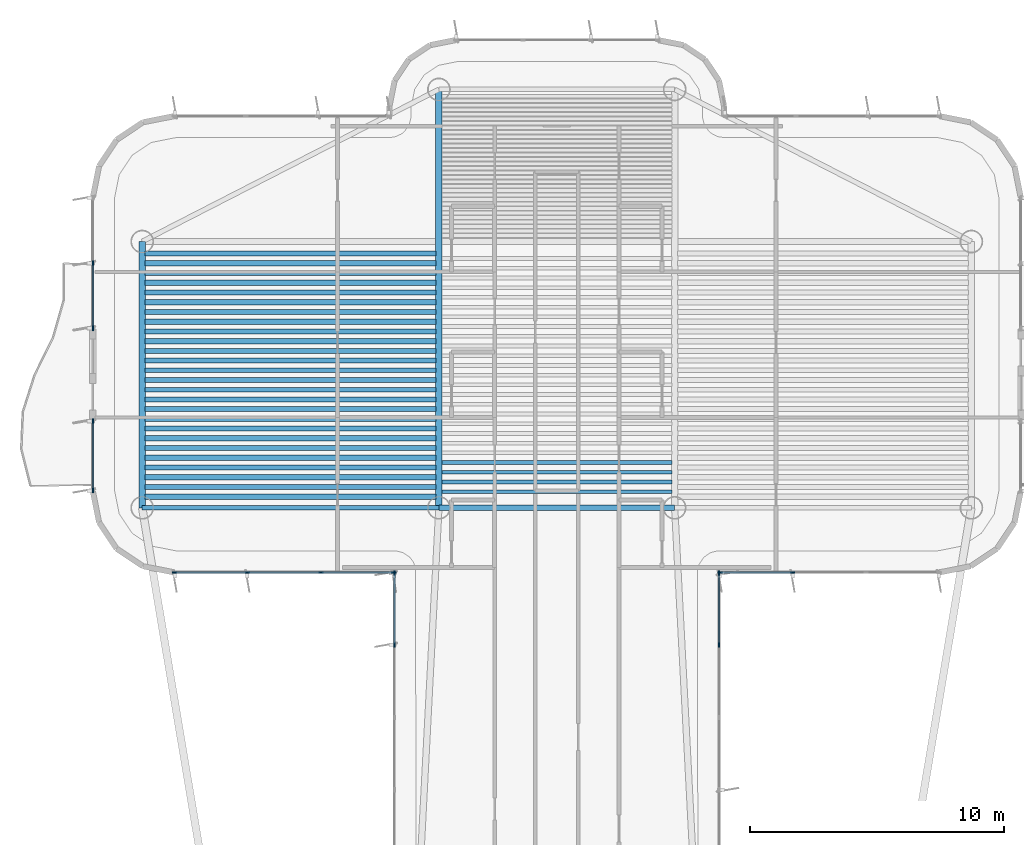
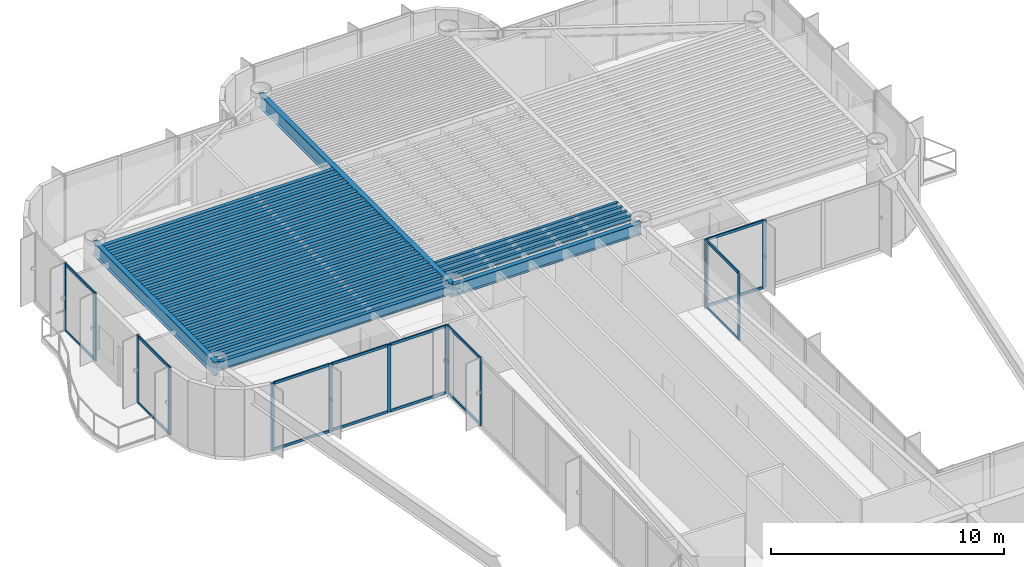
# One storey, part 5 of 16: 34 beams, 30 members, 6 elements without a shape of their own.
"""IFC4 building model written with IfcOpenShell, lengths in metres."""

from ifc_helpers import new_model, si_unit, direction, frame, origin, origin_2d, place, context, subcontext, project, spatial, rectangle, i_section, extrude, source, transform, mapped, material, layer, layer_set, material_profile, profile_set, type_object, element, aggregate, save


model = new_model("IFC4")

# Units and contexts
model_context = context("Model", 3, precision=1e-05, world=origin(), true_north=direction((0.0, 1.0)))
body_context = subcontext(model_context, "Body", "Model", "MODEL_VIEW")
ifc_project = project(units=[si_unit("LENGTHUNIT", "METRE"), si_unit("AREAUNIT", "SQUARE_METRE"), si_unit("VOLUMEUNIT", "CUBIC_METRE"), si_unit("PLANEANGLEUNIT", "RADIAN"), si_unit("MASSUNIT", "GRAM", prefix="KILO")], contexts=[model_context])

# Site, building, storey
site_placement = place(None, origin())
site = spatial("IfcSite", under=ifc_project, at=site_placement, CompositionType="ELEMENT")
building_placement = place(site_placement, origin())
building = spatial("IfcBuilding", under=site, at=building_placement, Name="Brelvock Crest Care Tower", CompositionType="ELEMENT")
storey_placement = place(building_placement, frame((0.0, 0.0, 234.360107421875)))
storey = spatial("IfcBuildingStorey", under=building, at=storey_placement, Name="L59", CompositionType="ELEMENT", Elevation=234.360107421875)

# Beams
ifc_material_1 = material(Name="Steel Grade 350", Category="steel")
ifc_material_profile_1 = material_profile(ifc_material_1, i_section(OverallWidth=0.25, OverallDepth=0.699951171875, WebThickness=0.011962890625, FlangeThickness=0.02001953125, at=origin_2d()), Name="700WB150")
ifc_profile_set_1 = profile_set([ifc_material_profile_1], Name="Steel Grade 350")
beam_type_1 = type_object("IfcBeamType", Name="BM-G4", PredefinedType="BEAM", material=ifc_profile_set_1)
shared_shape_1 = source(origin(), body_context, "Body", "SweptSolid", [
    extrude(i_section(OverallWidth=0.25, OverallDepth=0.699951171875, WebThickness=0.011962890625, FlangeThickness=0.02001953125, at=origin_2d()), origin(), (0.0, 0.0, 1.0), 10.5),
])
beam_1_placement = place(storey_placement, frame((19.64990234375, 43.949951171875, 3.179931640625), z_axis=(0.0, 1.0, 0.0), x_axis=(-1.0, 0.0, 0.0)))
element("IfcBeam", 1, at=beam_1_placement, inside=storey, type_object=beam_type_1, Name="BM-TWR-L59-01", PredefinedType="BEAM", context=body_context, shape_type="MappedRepresentation", body=[
    mapped(shared_shape_1, transform((0.0, 0.0, 0.0), x_axis=(1.0, 0.0, 0.0), y_axis=(0.0, 1.0, 0.0), z_axis=(0.0, 0.0, 1.0), scale=1.0)),
])
ifc_material_profile_2 = material_profile(ifc_material_1, i_section(OverallWidth=0.22900390625, OverallDepth=0.612060546875, WebThickness=0.011962890625, FlangeThickness=0.01953125, FilletRadius=0.013916015625, at=origin_2d()), Name="610UB125")
ifc_profile_set_2 = profile_set([ifc_material_profile_2], Name="Steel Grade 350")
beam_type_2 = type_object("IfcBeamType", Name="BM-G1", PredefinedType="BEAM", material=ifc_profile_set_2)
shared_shape_2 = source(origin(), body_context, "Body", "SweptSolid", [
    extrude(i_section(OverallWidth=0.22900390625, OverallDepth=0.612060546875, WebThickness=0.011962890625, FlangeThickness=0.01953125, FilletRadius=0.013916015625, at=origin_2d()), origin(), (0.0, 0.0, 1.0), 9.2998046875),
])
beam_2_placement = place(storey_placement, frame((31.35009765625, 43.949951171875, 3.223876953125), z_axis=(1.0, 0.0, 0.0), x_axis=(0.0, 1.0, 0.0)))
element("IfcBeam", 2, at=beam_2_placement, inside=storey, type_object=beam_type_2, Name="BM-TWR-L59-05", PredefinedType="BEAM", context=body_context, shape_type="MappedRepresentation", body=[
    mapped(shared_shape_2, transform((0.0, 0.0, 0.0), x_axis=(1.0, 0.0, 0.0), y_axis=(0.0, 1.0, 0.0), z_axis=(0.0, 0.0, 1.0), scale=1.0)),
])
ifc_material_profile_3 = material_profile(ifc_material_1, i_section(OverallWidth=0.14599609375, OverallDepth=0.256103515625, WebThickness=0.00634765625, FlangeThickness=0.010986328125, FilletRadius=0.0087890625, at=origin_2d()), Name="250UB37.3")
ifc_profile_set_3 = profile_set([ifc_material_profile_3], Name="Steel Grade 350")
beam_type_3 = type_object("IfcBeamType", Name="BM-J3", PredefinedType="JOIST", material=ifc_profile_set_3)
shared_shape_3 = source(origin(), body_context, "Body", "SweptSolid", [
    extrude(i_section(OverallWidth=0.14599609375, OverallDepth=0.256103515625, WebThickness=0.00634765625, FlangeThickness=0.010986328125, FilletRadius=0.0087890625, at=origin_2d()), origin(), (0.0, 0.0, 1.0), 9.06982421875),
])
for number, where, z_axis, x_axis, name in (
    (3, (31.465087890625, 44.58251953125, 3.40185546875), (1.0, 0.0, 0.0), (0.0, 1.0, 0.0), "BM-JH-L59-1"),
    (4, (31.465087890625, 44.9658203125, 3.40185546875), (1.0, 0.0, 0.0), (0.0, 1.0, 0.0), "BM-JH-L59-2"),
    (5, (31.465087890625, 45.34912109375, 3.40185546875), (1.0, 0.0, 0.0), (0.0, 1.0, 0.0), "BM-JH-L59-3"),
    (6, (31.465087890625, 45.732421875, 3.40185546875), (1.0, 0.0, 0.0), (0.0, 1.0, 0.0), "BM-JH-L59-4"),
):
    element("IfcBeam", number, at=place(storey_placement, frame(where, z_axis=z_axis, x_axis=x_axis)), inside=storey, type_object=beam_type_3, Name=name, PredefinedType="JOIST", context=body_context, shape_type="MappedRepresentation", body=[
        mapped(shared_shape_3, transform((0.0, 0.0, 0.0), x_axis=(1.0, 0.0, 0.0), y_axis=(0.0, 1.0, 0.0), z_axis=(0.0, 0.0, 1.0), scale=1.0)),
    ])
ifc_material_profile_4 = material_profile(ifc_material_1, i_section(OverallWidth=0.19091796875, OverallDepth=0.4599609375, WebThickness=0.010009765625, FlangeThickness=0.01611328125, FilletRadius=0.011474609375, at=origin_2d()), Name="460UB82.1")
ifc_profile_set_4 = profile_set([ifc_material_profile_4], Name="Steel Grade 350")
beam_type_4 = type_object("IfcBeamType", Name="BM-G3", PredefinedType="BEAM", material=ifc_profile_set_4)
shared_shape_4 = source(origin(), body_context, "Body", "SweptSolid", [
    extrude(i_section(OverallWidth=0.19091796875, OverallDepth=0.4599609375, WebThickness=0.010009765625, FlangeThickness=0.01611328125, FilletRadius=0.011474609375, at=origin_2d()), origin(), (0.0, 0.0, 1.0), 11.47021484375),
])
for number, where, z_axis, x_axis, name in (
    (7, (19.764892578125, 44.7744140625, 3.2998046875), (1.0, 0.0, 0.0), (0.0, 1.0, 0.0), "BM-JW-L59-2"),
    (8, (19.764892578125, 45.540771484375, 3.2998046875), (1.0, 0.0, 0.0), (0.0, 1.0, 0.0), "BM-JW-L59-4"),
    (9, (19.764892578125, 46.307373046875, 3.2998046875), (1.0, 0.0, 0.0), (0.0, 1.0, 0.0), "BM-JW-L59-6"),
    (10, (19.764892578125, 47.07373046875, 3.2998046875), (1.0, 0.0, 0.0), (0.0, 1.0, 0.0), "BM-JW-L59-8"),
    (11, (19.764892578125, 47.84033203125, 3.2998046875), (1.0, 0.0, 0.0), (0.0, 1.0, 0.0), "BM-JW-L59-10"),
    (12, (19.764892578125, 48.606689453125, 3.2998046875), (1.0, 0.0, 0.0), (0.0, 1.0, 0.0), "BM-JW-L59-12"),
    (13, (19.764892578125, 49.373291015625, 3.2998046875), (1.0, 0.0, 0.0), (0.0, 1.0, 0.0), "BM-JW-L59-14"),
    (14, (19.764892578125, 50.139892578125, 3.2998046875), (1.0, 0.0, 0.0), (0.0, 1.0, 0.0), "BM-JW-L59-16"),
    (15, (19.764892578125, 50.90625, 3.2998046875), (1.0, 0.0, 0.0), (0.0, 1.0, 0.0), "BM-JW-L59-18"),
    (16, (19.764892578125, 51.6728515625, 3.2998046875), (1.0, 0.0, 0.0), (0.0, 1.0, 0.0), "BM-JW-L59-20"),
    (17, (19.764892578125, 52.439208984375, 3.2998046875), (1.0, 0.0, 0.0), (0.0, 1.0, 0.0), "BM-JW-L59-22"),
    (18, (19.764892578125, 53.205810546875, 3.2998046875), (1.0, 0.0, 0.0), (0.0, 1.0, 0.0), "BM-JW-L59-24"),
    (19, (19.764892578125, 53.972412109375, 3.2998046875), (1.0, 0.0, 0.0), (0.0, 1.0, 0.0), "BM-JW-L59-26"),
):
    element("IfcBeam", number, at=place(storey_placement, frame(where, z_axis=z_axis, x_axis=x_axis)), inside=storey, type_object=beam_type_4, Name=name, PredefinedType="BEAM", context=body_context, shape_type="MappedRepresentation", body=[
        mapped(shared_shape_4, transform((0.0, 0.0, 0.0), x_axis=(1.0, 0.0, 0.0), y_axis=(0.0, 1.0, 0.0), z_axis=(0.0, 0.0, 1.0), scale=1.0)),
    ])
ifc_material_profile_5 = material_profile(ifc_material_1, i_section(OverallWidth=0.208984375, OverallDepth=0.532958984375, WebThickness=0.01025390625, FlangeThickness=0.015625, FilletRadius=0.013916015625, at=origin_2d()), Name="530UB92.4")
ifc_profile_set_5 = profile_set([ifc_material_profile_5], Name="Steel Grade 350")
beam_type_5 = type_object("IfcBeamType", Name="BM-G2", PredefinedType="BEAM", material=ifc_profile_set_5)
shared_shape_5 = source(origin(), body_context, "Body", "SweptSolid", [
    extrude(i_section(OverallWidth=0.208984375, OverallDepth=0.532958984375, WebThickness=0.01025390625, FlangeThickness=0.015625, FilletRadius=0.013916015625, at=origin_2d()), origin(), (0.0, 0.0, 1.0), 11.47021484375),
])
for number, where, z_axis, x_axis, name in (
    (20, (19.764892578125, 44.39111328125, 3.263427734375), (1.0, 0.0, 0.0), (0.0, 1.0, 0.0), "BM-JW-L59-1"),
    (21, (19.764892578125, 45.157470703125, 3.263427734375), (1.0, 0.0, 0.0), (0.0, 1.0, 0.0), "BM-JW-L59-3"),
    (22, (19.764892578125, 45.924072265625, 3.263427734375), (1.0, 0.0, 0.0), (0.0, 1.0, 0.0), "BM-JW-L59-5"),
    (23, (19.764892578125, 46.6904296875, 3.263427734375), (1.0, 0.0, 0.0), (0.0, 1.0, 0.0), "BM-JW-L59-7"),
    (24, (19.764892578125, 47.45703125, 3.263427734375), (1.0, 0.0, 0.0), (0.0, 1.0, 0.0), "BM-JW-L59-9"),
    (25, (19.764892578125, 48.223388671875, 3.263427734375), (1.0, 0.0, 0.0), (0.0, 1.0, 0.0), "BM-JW-L59-11"),
    (26, (19.764892578125, 48.989990234375, 3.263427734375), (1.0, 0.0, 0.0), (0.0, 1.0, 0.0), "BM-JW-L59-13"),
    (27, (19.764892578125, 49.756591796875, 3.263427734375), (1.0, 0.0, 0.0), (0.0, 1.0, 0.0), "BM-JW-L59-15"),
    (28, (19.764892578125, 50.52294921875, 3.263427734375), (1.0, 0.0, 0.0), (0.0, 1.0, 0.0), "BM-JW-L59-17"),
    (29, (19.764892578125, 51.28955078125, 3.263427734375), (1.0, 0.0, 0.0), (0.0, 1.0, 0.0), "BM-JW-L59-19"),
    (30, (19.764892578125, 52.055908203125, 3.263427734375), (1.0, 0.0, 0.0), (0.0, 1.0, 0.0), "BM-JW-L59-21"),
    (31, (19.764892578125, 52.822509765625, 3.263427734375), (1.0, 0.0, 0.0), (0.0, 1.0, 0.0), "BM-JW-L59-23"),
    (32, (19.764892578125, 53.589111328125, 3.263427734375), (1.0, 0.0, 0.0), (0.0, 1.0, 0.0), "BM-JW-L59-25"),
):
    element("IfcBeam", number, at=place(storey_placement, frame(where, z_axis=z_axis, x_axis=x_axis)), inside=storey, type_object=beam_type_5, Name=name, PredefinedType="BEAM", context=body_context, shape_type="MappedRepresentation", body=[
        mapped(shared_shape_5, transform((0.0, 0.0, 0.0), x_axis=(1.0, 0.0, 0.0), y_axis=(0.0, 1.0, 0.0), z_axis=(0.0, 0.0, 1.0), scale=1.0)),
    ])
ifc_material_profile_6 = material_profile(ifc_material_1, i_section(OverallWidth=0.19091796875, OverallDepth=0.4599609375, WebThickness=0.010009765625, FlangeThickness=0.01611328125, FilletRadius=0.011474609375, at=origin_2d()), Name="460UB82.1")
ifc_profile_set_6 = profile_set([ifc_material_profile_6], Name="Steel Grade 350")
beam_type_6 = type_object("IfcBeamType", Name="BM-SP2", PredefinedType="SPANDREL", material=ifc_profile_set_6)
shared_shape_6 = source(origin(), body_context, "Body", "SweptSolid", [
    extrude(i_section(OverallWidth=0.19091796875, OverallDepth=0.4599609375, WebThickness=0.010009765625, FlangeThickness=0.01611328125, FilletRadius=0.011474609375, at=origin_2d()), origin(), (0.0, 0.0, 1.0), 11.7001953125),
])
beam_3_placement = place(storey_placement, frame((19.64990234375, 43.949951171875, 3.2998046875), z_axis=(1.0, 0.0, 0.0), x_axis=(0.0, 1.0, 0.0)))
element("IfcBeam", 33, at=beam_3_placement, inside=storey, type_object=beam_type_6, Name="BM-TWR-L59-03", PredefinedType="SPANDREL", context=body_context, shape_type="MappedRepresentation", body=[
    mapped(shared_shape_6, transform((0.0, 0.0, 0.0), x_axis=(1.0, 0.0, 0.0), y_axis=(0.0, 1.0, 0.0), z_axis=(0.0, 0.0, 1.0), scale=1.0)),
])
shared_shape_7 = source(origin(), body_context, "Body", "SweptSolid", [
    extrude(i_section(OverallWidth=0.25, OverallDepth=0.699951171875, WebThickness=0.011962890625, FlangeThickness=0.02001953125, at=origin_2d()), origin(), (0.0, 0.0, 1.0), 16.5),
])
beam_4_placement = place(storey_placement, frame((31.35009765625, 43.949951171875, 3.179931640625), z_axis=(0.0, 1.0, 0.0), x_axis=(-1.0, 0.0, 0.0)))
element("IfcBeam", 34, at=beam_4_placement, inside=storey, type_object=beam_type_1, Name="BM-TWR-L59-09", PredefinedType="BEAM", context=body_context, shape_type="MappedRepresentation", body=[
    mapped(shared_shape_7, transform((0.0, 0.0, 0.0), x_axis=(1.0, 0.0, 0.0), y_axis=(0.0, 1.0, 0.0), z_axis=(0.0, 0.0, 1.0), scale=1.0)),
])

# Curtain wall, members
ifc_material_2 = material(Name="Dark Glass Double Glazed Low-E", Category="glass")
ifc_layer = layer(ifc_material_2, 0.239990234375, Name="CWS-5")
ifc_layer_set = layer_set([ifc_layer], Name="Dark Glass Double Glazed Low-E")
curtain_wall_type = type_object("IfcCurtainWallType", Name="CWS-5", PredefinedType="NOTDEFINED", material=ifc_layer_set)
curtain_wall_1_placement = place(storey_placement, origin())
curtain_wall_1 = element("IfcCurtainWall", 35, at=curtain_wall_1_placement, inside=storey, type_object=curtain_wall_type, Name="L59 Curtain Wall E11", PredefinedType="NOTDEFINED")
ifc_material_3 = material(Name="Aluminium 6063-T6", Category="aluminium")
ifc_material_profile_7 = material_profile(ifc_material_3, rectangle(XDim=0.06005859375, YDim=0.179931640625, at=origin_2d()), Name="ALU60x180")
ifc_profile_set_7 = profile_set([ifc_material_profile_7], Name="Aluminium 6063-T6")
member_type_1 = type_object("IfcMemberType", Name="CWM-2", PredefinedType="MULLION", material=ifc_profile_set_7)
shared_shape_8 = source(origin(), body_context, "Body", "SweptSolid", [
    extrude(rectangle(XDim=0.06005859375, YDim=0.179931640625, at=origin_2d()), origin(), (0.0, 0.0, 1.0), 3.52978515625),
])
member_1_placement = place(storey_placement, frame((29.60009765625, 38.54296875, 0.0), z_axis=(0.0, 0.0, 1.0), x_axis=(-1.0, 0.0, 0.0)))
member_1 = element("IfcMember", 36, at=member_1_placement, type_object=member_type_1, Name="CW-5 mullion 7", PredefinedType="MULLION", context=body_context, shape_type="MappedRepresentation", body=[
    mapped(shared_shape_8, transform((0.0, 0.0, 0.0), x_axis=(1.0, 0.0, 0.0), y_axis=(0.0, 1.0, 0.0), z_axis=(0.0, 0.0, 1.0), scale=1.0)),
])
member_2_placement = place(storey_placement, frame((29.60009765625, 41.3701171875, 0.0), z_axis=(0.0, 0.0, 1.0), x_axis=(-1.0, 0.0, 0.0)))
member_2 = element("IfcMember", 37, at=member_2_placement, type_object=member_type_1, Name="CW-5 mullion 8", PredefinedType="MULLION", context=body_context, shape_type="MappedRepresentation", body=[
    mapped(shared_shape_8, transform((0.0, 0.0, 0.0), x_axis=(1.0, 0.0, 0.0), y_axis=(0.0, 1.0, 0.0), z_axis=(0.0, 0.0, 1.0), scale=1.0)),
])

curtain_wall_2_placement = place(storey_placement, origin())
curtain_wall_2 = element("IfcCurtainWall", 38, at=curtain_wall_2_placement, inside=storey, type_object=curtain_wall_type, Name="L59 Curtain Wall E12", PredefinedType="NOTDEFINED")
member_3_placement = place(storey_placement, frame((29.570068359375, 41.39990234375, 0.0), z_axis=(0.0, 0.0, 1.0), x_axis=(0.0, -1.0, 0.0)))
member_3 = element("IfcMember", 39, at=member_3_placement, type_object=member_type_1, Name="CW-5 mullion 1", PredefinedType="MULLION", context=body_context, shape_type="MappedRepresentation", body=[
    mapped(shared_shape_8, transform((0.0, 0.0, 0.0), x_axis=(1.0, 0.0, 0.0), y_axis=(0.0, 1.0, 0.0), z_axis=(0.0, 0.0, 1.0), scale=1.0)),
])
member_4_placement = place(storey_placement, frame((26.699951171875, 41.39990234375, 0.0), z_axis=(0.0, 0.0, 1.0), x_axis=(0.0, -1.0, 0.0)))
member_4 = element("IfcMember", 40, at=member_4_placement, type_object=member_type_1, Name="CW-5 mullion 2", PredefinedType="MULLION", context=body_context, shape_type="MappedRepresentation", body=[
    mapped(shared_shape_8, transform((0.0, 0.0, 0.0), x_axis=(1.0, 0.0, 0.0), y_axis=(0.0, 1.0, 0.0), z_axis=(0.0, 0.0, 1.0), scale=1.0)),
])
member_5_placement = place(storey_placement, frame((23.800048828125, 41.39990234375, 0.0), z_axis=(0.0, 0.0, 1.0), x_axis=(0.0, -1.0, 0.0)))
member_5 = element("IfcMember", 41, at=member_5_placement, type_object=member_type_1, Name="CW-5 mullion 3", PredefinedType="MULLION", context=body_context, shape_type="MappedRepresentation", body=[
    mapped(shared_shape_8, transform((0.0, 0.0, 0.0), x_axis=(1.0, 0.0, 0.0), y_axis=(0.0, 1.0, 0.0), z_axis=(0.0, 0.0, 1.0), scale=1.0)),
])
member_6_placement = place(storey_placement, frame((20.929931640625, 41.39990234375, 0.0), z_axis=(0.0, 0.0, 1.0), x_axis=(0.0, -1.0, 0.0)))
member_6 = element("IfcMember", 42, at=member_6_placement, type_object=member_type_1, Name="CW-5 mullion 4", PredefinedType="MULLION", context=body_context, shape_type="MappedRepresentation", body=[
    mapped(shared_shape_8, transform((0.0, 0.0, 0.0), x_axis=(1.0, 0.0, 0.0), y_axis=(0.0, 1.0, 0.0), z_axis=(0.0, 0.0, 1.0), scale=1.0)),
])

curtain_wall_3_placement = place(storey_placement, origin())
curtain_wall_3 = element("IfcCurtainWall", 43, at=curtain_wall_3_placement, inside=storey, type_object=curtain_wall_type, Name="L59 Curtain Wall E17A", PredefinedType="NOTDEFINED")
member_7_placement = place(storey_placement, frame((17.699951171875, 44.6298828125, 0.0), z_axis=(0.0, 0.0, 1.0), x_axis=(-1.0, 0.0, 0.0)))
member_7 = element("IfcMember", 44, at=member_7_placement, type_object=member_type_1, Name="CW-5 mullion 1", PredefinedType="MULLION", context=body_context, shape_type="MappedRepresentation", body=[
    mapped(shared_shape_8, transform((0.0, 0.0, 0.0), x_axis=(1.0, 0.0, 0.0), y_axis=(0.0, 1.0, 0.0), z_axis=(0.0, 0.0, 1.0), scale=1.0)),
])
member_8_placement = place(storey_placement, frame((17.699951171875, 47.3701171875, 0.0), z_axis=(0.0, 0.0, 1.0), x_axis=(-1.0, 0.0, 0.0)))
member_8 = element("IfcMember", 45, at=member_8_placement, type_object=member_type_1, Name="CW-5 mullion 2", PredefinedType="MULLION", context=body_context, shape_type="MappedRepresentation", body=[
    mapped(shared_shape_8, transform((0.0, 0.0, 0.0), x_axis=(1.0, 0.0, 0.0), y_axis=(0.0, 1.0, 0.0), z_axis=(0.0, 0.0, 1.0), scale=1.0)),
])

curtain_wall_4_placement = place(storey_placement, origin())
curtain_wall_4 = element("IfcCurtainWall", 46, at=curtain_wall_4_placement, inside=storey, type_object=curtain_wall_type, Name="L59 Curtain Wall E17B", PredefinedType="NOTDEFINED")
member_9_placement = place(storey_placement, frame((17.699951171875, 51.030029296875, 0.0), z_axis=(0.0, 0.0, 1.0), x_axis=(-1.0, 0.0, 0.0)))
member_9 = element("IfcMember", 47, at=member_9_placement, type_object=member_type_1, Name="CW-5 mullion 1", PredefinedType="MULLION", context=body_context, shape_type="MappedRepresentation", body=[
    mapped(shared_shape_8, transform((0.0, 0.0, 0.0), x_axis=(1.0, 0.0, 0.0), y_axis=(0.0, 1.0, 0.0), z_axis=(0.0, 0.0, 1.0), scale=1.0)),
])
member_10_placement = place(storey_placement, frame((17.699951171875, 53.60009765625, 0.0), z_axis=(0.0, 0.0, 1.0), x_axis=(-1.0, 0.0, 0.0)))
member_10 = element("IfcMember", 48, at=member_10_placement, type_object=member_type_1, Name="CW-5 mullion 2", PredefinedType="MULLION", context=body_context, shape_type="MappedRepresentation", body=[
    mapped(shared_shape_8, transform((0.0, 0.0, 0.0), x_axis=(1.0, 0.0, 0.0), y_axis=(0.0, 1.0, 0.0), z_axis=(0.0, 0.0, 1.0), scale=1.0)),
])

curtain_wall_5_placement = place(storey_placement, origin())
curtain_wall_5 = element("IfcCurtainWall", 49, at=curtain_wall_5_placement, inside=storey, type_object=curtain_wall_type, Name="L59 Curtain Wall E44", PredefinedType="NOTDEFINED")
member_11_placement = place(storey_placement, frame((45.300048828125, 41.39990234375, 0.0), z_axis=(0.0, 0.0, 1.0), x_axis=(0.0, -1.0, 0.0)))
member_11 = element("IfcMember", 50, at=member_11_placement, type_object=member_type_1, Name="CW-5 mullion 3", PredefinedType="MULLION", context=body_context, shape_type="MappedRepresentation", body=[
    mapped(shared_shape_8, transform((0.0, 0.0, 0.0), x_axis=(1.0, 0.0, 0.0), y_axis=(0.0, 1.0, 0.0), z_axis=(0.0, 0.0, 1.0), scale=1.0)),
])
member_12_placement = place(storey_placement, frame((42.429931640625, 41.39990234375, 0.0), z_axis=(0.0, 0.0, 1.0), x_axis=(0.0, -1.0, 0.0)))
member_12 = element("IfcMember", 51, at=member_12_placement, type_object=member_type_1, Name="CW-5 mullion 4", PredefinedType="MULLION", context=body_context, shape_type="MappedRepresentation", body=[
    mapped(shared_shape_8, transform((0.0, 0.0, 0.0), x_axis=(1.0, 0.0, 0.0), y_axis=(0.0, 1.0, 0.0), z_axis=(0.0, 0.0, 1.0), scale=1.0)),
])

curtain_wall_6_placement = place(storey_placement, origin())
curtain_wall_6 = element("IfcCurtainWall", 52, at=curtain_wall_6_placement, inside=storey, type_object=curtain_wall_type, Name="L59 Curtain Wall E45", PredefinedType="NOTDEFINED")
member_13_placement = place(storey_placement, frame((42.39990234375, 41.3701171875, 0.0), z_axis=(0.0, 0.0, 1.0), x_axis=(1.0, 0.0, 0.0)))
member_13 = element("IfcMember", 53, at=member_13_placement, type_object=member_type_1, Name="CW-5 mullion 1", PredefinedType="MULLION", context=body_context, shape_type="MappedRepresentation", body=[
    mapped(shared_shape_8, transform((0.0, 0.0, 0.0), x_axis=(1.0, 0.0, 0.0), y_axis=(0.0, 1.0, 0.0), z_axis=(0.0, 0.0, 1.0), scale=1.0)),
])
member_14_placement = place(storey_placement, frame((42.39990234375, 38.54296875, 0.0), z_axis=(0.0, 0.0, 1.0), x_axis=(1.0, 0.0, 0.0)))
member_14 = element("IfcMember", 54, at=member_14_placement, type_object=member_type_1, Name="CW-5 mullion 2", PredefinedType="MULLION", context=body_context, shape_type="MappedRepresentation", body=[
    mapped(shared_shape_8, transform((0.0, 0.0, 0.0), x_axis=(1.0, 0.0, 0.0), y_axis=(0.0, 1.0, 0.0), z_axis=(0.0, 0.0, 1.0), scale=1.0)),
])

# Member
ifc_material_profile_8 = material_profile(ifc_material_3, rectangle(XDim=0.06005859375, YDim=0.139892578125, at=origin_2d()), Name="ALU60x140")
ifc_profile_set_8 = profile_set([ifc_material_profile_8], Name="Aluminium 6063-T6")
member_type_2 = type_object("IfcMemberType", Name="CWT-2", PredefinedType="USERDEFINED", material=ifc_profile_set_8)
shared_shape_9 = source(origin(), body_context, "Body", "SweptSolid", [
    extrude(rectangle(XDim=0.06005859375, YDim=0.139892578125, at=origin_2d()), origin(), (0.0, 0.0, 1.0), 2.510009765625),
])
member_15_placement = place(storey_placement, frame((17.699951171875, 51.06005859375, 0.02978515625), z_axis=(0.0, 1.0, 0.0), x_axis=(-1.0, 0.0, 0.0)))
member_15 = element("IfcMember", 55, at=member_15_placement, type_object=member_type_2, Name="CW-5 transom 1.1", ObjectType="TRANSOM", PredefinedType="USERDEFINED", context=body_context, shape_type="MappedRepresentation", body=[
    mapped(shared_shape_9, transform((0.0, 0.0, 0.0), x_axis=(1.0, 0.0, 0.0), y_axis=(0.0, 1.0, 0.0), z_axis=(0.0, 0.0, 1.0), scale=1.0)),
])

member_16_placement = place(storey_placement, frame((17.699951171875, 51.06005859375, 3.5), z_axis=(0.0, 1.0, 0.0), x_axis=(-1.0, 0.0, 0.0)))
member_16 = element("IfcMember", 56, at=member_16_placement, type_object=member_type_2, Name="CW-5 transom 1.2", ObjectType="TRANSOM", PredefinedType="USERDEFINED", context=body_context, shape_type="MappedRepresentation", body=[
    mapped(shared_shape_9, transform((0.0, 0.0, 0.0), x_axis=(1.0, 0.0, 0.0), y_axis=(0.0, 1.0, 0.0), z_axis=(0.0, 0.0, 1.0), scale=1.0)),
])

aggregate(curtain_wall_4, [member_9, member_10, member_15, member_16])

shared_shape_10 = source(origin(), body_context, "Body", "SweptSolid", [
    extrude(rectangle(XDim=0.06005859375, YDim=0.139892578125, at=origin_2d()), origin(), (0.0, 0.0, 1.0), 2.767333984375),
])
member_17_placement = place(storey_placement, frame((29.60009765625, 38.57275390625, 0.02978515625), z_axis=(0.0, 1.0, 0.0), x_axis=(-1.0, 0.0, 0.0)))
member_17 = element("IfcMember", 57, at=member_17_placement, type_object=member_type_2, Name="CW-5 transom 7.1", ObjectType="TRANSOM", PredefinedType="USERDEFINED", context=body_context, shape_type="MappedRepresentation", body=[
    mapped(shared_shape_10, transform((0.0, 0.0, 0.0), x_axis=(1.0, 0.0, 0.0), y_axis=(0.0, 1.0, 0.0), z_axis=(0.0, 0.0, 1.0), scale=1.0)),
])

member_18_placement = place(storey_placement, frame((29.60009765625, 38.57275390625, 3.5), z_axis=(0.0, 1.0, 0.0), x_axis=(-1.0, 0.0, 0.0)))
member_18 = element("IfcMember", 58, at=member_18_placement, type_object=member_type_2, Name="CW-5 transom 7.2", ObjectType="TRANSOM", PredefinedType="USERDEFINED", context=body_context, shape_type="MappedRepresentation", body=[
    mapped(shared_shape_10, transform((0.0, 0.0, 0.0), x_axis=(1.0, 0.0, 0.0), y_axis=(0.0, 1.0, 0.0), z_axis=(0.0, 0.0, 1.0), scale=1.0)),
])

aggregate(curtain_wall_1, [member_1, member_2, member_17, member_18])

member_19_placement = place(storey_placement, frame((42.39990234375, 41.340087890625, 0.02978515625), z_axis=(0.0, -1.0, 0.0), x_axis=(1.0, 0.0, 0.0)))
member_19 = element("IfcMember", 59, at=member_19_placement, type_object=member_type_2, Name="CW-5 transom 1.1", ObjectType="TRANSOM", PredefinedType="USERDEFINED", context=body_context, shape_type="MappedRepresentation", body=[
    mapped(shared_shape_10, transform((0.0, 0.0, 0.0), x_axis=(1.0, 0.0, 0.0), y_axis=(0.0, 1.0, 0.0), z_axis=(0.0, 0.0, 1.0), scale=1.0)),
])

member_20_placement = place(storey_placement, frame((42.39990234375, 41.340087890625, 3.5), z_axis=(0.0, -1.0, 0.0), x_axis=(1.0, 0.0, 0.0)))
member_20 = element("IfcMember", 60, at=member_20_placement, type_object=member_type_2, Name="CW-5 transom 1.2", ObjectType="TRANSOM", PredefinedType="USERDEFINED", context=body_context, shape_type="MappedRepresentation", body=[
    mapped(shared_shape_10, transform((0.0, 0.0, 0.0), x_axis=(1.0, 0.0, 0.0), y_axis=(0.0, 1.0, 0.0), z_axis=(0.0, 0.0, 1.0), scale=1.0)),
])

aggregate(curtain_wall_6, [member_13, member_14, member_19, member_20])

shared_shape_11 = source(origin(), body_context, "Body", "SweptSolid", [
    extrude(rectangle(XDim=0.06005859375, YDim=0.139892578125, at=origin_2d()), origin(), (0.0, 0.0, 1.0), 2.81005859375),
])
member_21_placement = place(storey_placement, frame((29.5400390625, 41.39990234375, 0.02978515625), z_axis=(-1.0, 0.0, 0.0), x_axis=(0.0, -1.0, 0.0)))
member_21 = element("IfcMember", 61, at=member_21_placement, type_object=member_type_2, Name="CW-5 transom 1.1", ObjectType="TRANSOM", PredefinedType="USERDEFINED", context=body_context, shape_type="MappedRepresentation", body=[
    mapped(shared_shape_11, transform((0.0, 0.0, 0.0), x_axis=(1.0, 0.0, 0.0), y_axis=(0.0, 1.0, 0.0), z_axis=(0.0, 0.0, 1.0), scale=1.0)),
])

member_22_placement = place(storey_placement, frame((29.5400390625, 41.39990234375, 3.5), z_axis=(-1.0, 0.0, 0.0), x_axis=(0.0, -1.0, 0.0)))
member_22 = element("IfcMember", 62, at=member_22_placement, type_object=member_type_2, Name="CW-5 transom 1.2", ObjectType="TRANSOM", PredefinedType="USERDEFINED", context=body_context, shape_type="MappedRepresentation", body=[
    mapped(shared_shape_11, transform((0.0, 0.0, 0.0), x_axis=(1.0, 0.0, 0.0), y_axis=(0.0, 1.0, 0.0), z_axis=(0.0, 0.0, 1.0), scale=1.0)),
])

member_23_placement = place(storey_placement, frame((23.77001953125, 41.39990234375, 0.02978515625), z_axis=(-1.0, 0.0, 0.0), x_axis=(0.0, -1.0, 0.0)))
member_23 = element("IfcMember", 63, at=member_23_placement, type_object=member_type_2, Name="CW-5 transom 3.1", ObjectType="TRANSOM", PredefinedType="USERDEFINED", context=body_context, shape_type="MappedRepresentation", body=[
    mapped(shared_shape_11, transform((0.0, 0.0, 0.0), x_axis=(1.0, 0.0, 0.0), y_axis=(0.0, 1.0, 0.0), z_axis=(0.0, 0.0, 1.0), scale=1.0)),
])

member_24_placement = place(storey_placement, frame((23.77001953125, 41.39990234375, 3.5), z_axis=(-1.0, 0.0, 0.0), x_axis=(0.0, -1.0, 0.0)))
member_24 = element("IfcMember", 64, at=member_24_placement, type_object=member_type_2, Name="CW-5 transom 3.2", ObjectType="TRANSOM", PredefinedType="USERDEFINED", context=body_context, shape_type="MappedRepresentation", body=[
    mapped(shared_shape_11, transform((0.0, 0.0, 0.0), x_axis=(1.0, 0.0, 0.0), y_axis=(0.0, 1.0, 0.0), z_axis=(0.0, 0.0, 1.0), scale=1.0)),
])

member_25_placement = place(storey_placement, frame((45.27001953125, 41.39990234375, 0.02978515625), z_axis=(-1.0, 0.0, 0.0), x_axis=(0.0, -1.0, 0.0)))
member_25 = element("IfcMember", 65, at=member_25_placement, type_object=member_type_2, Name="CW-5 transom 3.1", ObjectType="TRANSOM", PredefinedType="USERDEFINED", context=body_context, shape_type="MappedRepresentation", body=[
    mapped(shared_shape_11, transform((0.0, 0.0, 0.0), x_axis=(1.0, 0.0, 0.0), y_axis=(0.0, 1.0, 0.0), z_axis=(0.0, 0.0, 1.0), scale=1.0)),
])

member_26_placement = place(storey_placement, frame((45.27001953125, 41.39990234375, 3.5), z_axis=(-1.0, 0.0, 0.0), x_axis=(0.0, -1.0, 0.0)))
member_26 = element("IfcMember", 66, at=member_26_placement, type_object=member_type_2, Name="CW-5 transom 3.2", ObjectType="TRANSOM", PredefinedType="USERDEFINED", context=body_context, shape_type="MappedRepresentation", body=[
    mapped(shared_shape_11, transform((0.0, 0.0, 0.0), x_axis=(1.0, 0.0, 0.0), y_axis=(0.0, 1.0, 0.0), z_axis=(0.0, 0.0, 1.0), scale=1.0)),
])

aggregate(curtain_wall_5, [member_11, member_12, member_25, member_26])

shared_shape_12 = source(origin(), body_context, "Body", "SweptSolid", [
    extrude(rectangle(XDim=0.06005859375, YDim=0.139892578125, at=origin_2d()), origin(), (0.0, 0.0, 1.0), 2.83984375),
])
member_27_placement = place(storey_placement, frame((26.669921875, 41.39990234375, 0.02978515625), z_axis=(-1.0, 0.0, 0.0), x_axis=(0.0, -1.0, 0.0)))
member_27 = element("IfcMember", 67, at=member_27_placement, type_object=member_type_2, Name="CW-5 transom 2.1", ObjectType="TRANSOM", PredefinedType="USERDEFINED", context=body_context, shape_type="MappedRepresentation", body=[
    mapped(shared_shape_12, transform((0.0, 0.0, 0.0), x_axis=(1.0, 0.0, 0.0), y_axis=(0.0, 1.0, 0.0), z_axis=(0.0, 0.0, 1.0), scale=1.0)),
])

member_28_placement = place(storey_placement, frame((26.669921875, 41.39990234375, 3.5), z_axis=(-1.0, 0.0, 0.0), x_axis=(0.0, -1.0, 0.0)))
member_28 = element("IfcMember", 68, at=member_28_placement, type_object=member_type_2, Name="CW-5 transom 2.2", ObjectType="TRANSOM", PredefinedType="USERDEFINED", context=body_context, shape_type="MappedRepresentation", body=[
    mapped(shared_shape_12, transform((0.0, 0.0, 0.0), x_axis=(1.0, 0.0, 0.0), y_axis=(0.0, 1.0, 0.0), z_axis=(0.0, 0.0, 1.0), scale=1.0)),
])

aggregate(curtain_wall_2, [member_3, member_4, member_5, member_6, member_21, member_22, member_27, member_28, member_23, member_24])

shared_shape_13 = source(origin(), body_context, "Body", "SweptSolid", [
    extrude(rectangle(XDim=0.06005859375, YDim=0.139892578125, at=origin_2d()), origin(), (0.0, 0.0, 1.0), 2.68017578125),
])
member_29_placement = place(storey_placement, frame((17.699951171875, 44.659912109375, 0.02978515625), z_axis=(0.0, 1.0, 0.0), x_axis=(-1.0, 0.0, 0.0)))
member_29 = element("IfcMember", 69, at=member_29_placement, type_object=member_type_2, Name="CW-5 transom 1.1", ObjectType="TRANSOM", PredefinedType="USERDEFINED", context=body_context, shape_type="MappedRepresentation", body=[
    mapped(shared_shape_13, transform((0.0, 0.0, 0.0), x_axis=(1.0, 0.0, 0.0), y_axis=(0.0, 1.0, 0.0), z_axis=(0.0, 0.0, 1.0), scale=1.0)),
])

member_30_placement = place(storey_placement, frame((17.699951171875, 44.659912109375, 3.5), z_axis=(0.0, 1.0, 0.0), x_axis=(-1.0, 0.0, 0.0)))
member_30 = element("IfcMember", 70, at=member_30_placement, type_object=member_type_2, Name="CW-5 transom 1.2", ObjectType="TRANSOM", PredefinedType="USERDEFINED", context=body_context, shape_type="MappedRepresentation", body=[
    mapped(shared_shape_13, transform((0.0, 0.0, 0.0), x_axis=(1.0, 0.0, 0.0), y_axis=(0.0, 1.0, 0.0), z_axis=(0.0, 0.0, 1.0), scale=1.0)),
])

aggregate(curtain_wall_3, [member_7, member_8, member_29, member_30])

save(model, "model.ifc")
